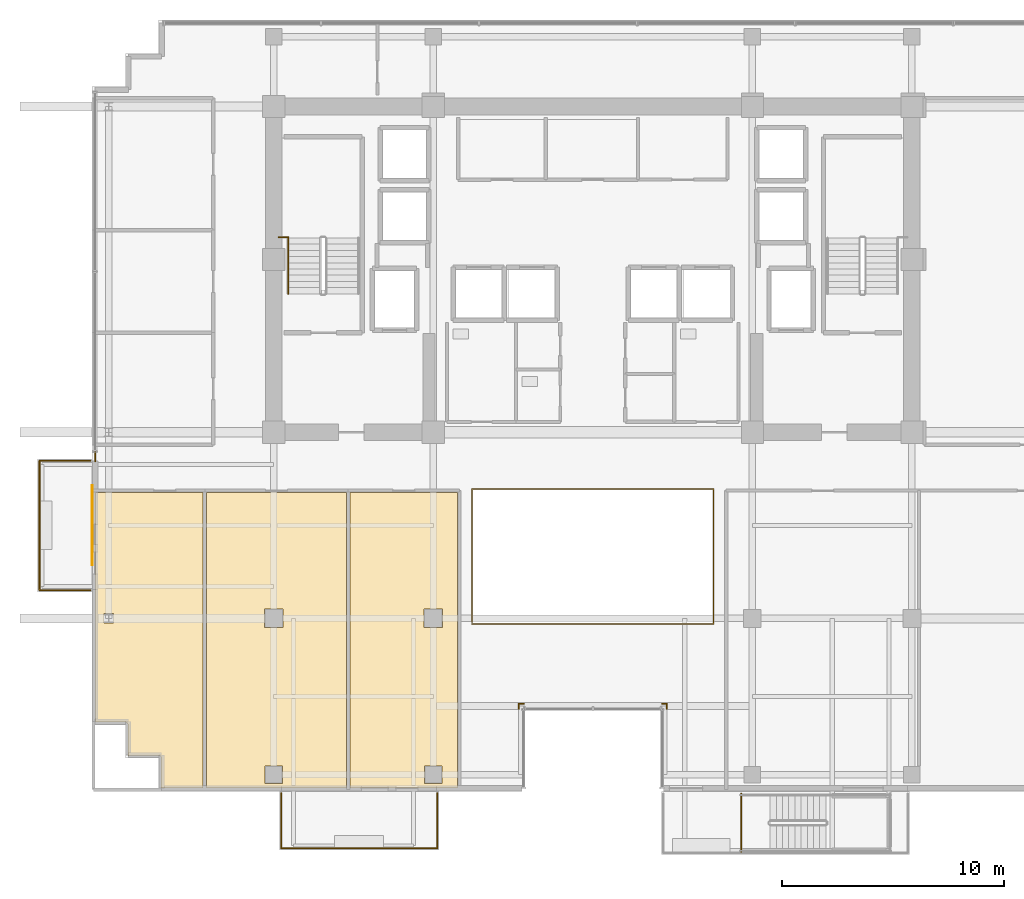
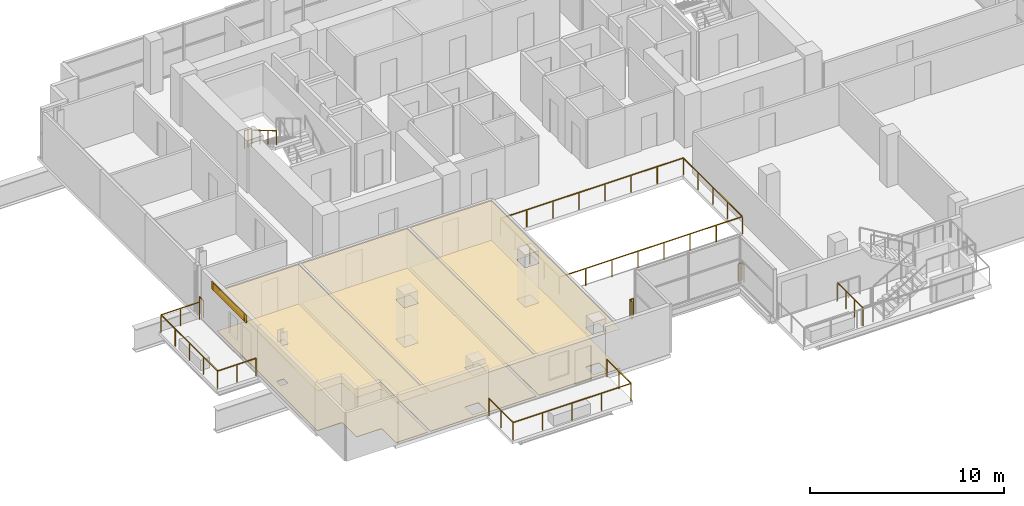
# One storey, part 20 of 23: 11 railings, 7 coverings, 1 shading device.
"""IFC4 building model written with IfcOpenShell, lengths in metres."""

import ifcopenshell
import ifcopenshell.guid

model = None  # the IFC model being written
_history = None  # IfcOwnerHistory: only IFC2X3 demands one
_inside = {}  # id of a spatial element -> (the spatial element, [elements in it])
_under = {}  # id of a project, library or spatial element -> (it, [spatial elements below it])
_declared = {}  # id of a project -> (the project, [libraries it declares])
_typed = {}  # id of a type object -> (the type object, [elements of that type])
_made_of = {}  # id of a material, layer set ... -> (it, [elements and type objects made of it])


def new_model(schema):
    """Start an empty IFC model of exactly this schema.

    Asked for "IFC4X3", IfcOpenShell would pick the latest addendum, in which some entities
    have other attributes; the version numbers below select the first issue.
    IFC2X3 requires an IfcOwnerHistory on every rooted entity: one is made here for all.
    """
    global model, _history
    if schema == "IFC4X3":
        model = ifcopenshell.file(schema_version=(4, 3, 0, 0))
    else:
        model = ifcopenshell.file(schema=schema)
    _inside.clear()
    _under.clear()
    _declared.clear()
    _typed.clear()
    _made_of.clear()
    _history = None
    if model.schema == "IFC2X3":
        org = make("IfcOrganization", Name="unknown")
        user = make(
            "IfcPersonAndOrganization",
            ThePerson=make("IfcPerson", FamilyName="unknown"),
            TheOrganization=org,
        )
        app = make(
            "IfcApplication",
            ApplicationDeveloper=org,
            Version="unknown",
            ApplicationFullName="unknown",
            ApplicationIdentifier="unknown",
        )
        _history = make(
            "IfcOwnerHistory",
            OwningUser=user,
            OwningApplication=app,
            ChangeAction="ADDED",
            CreationDate=0,
        )
    return model


def make(cls, **values):
    """One entity of the class cls with the attributes given. An attribute that is None is left unset."""
    return model.create_entity(
        cls, **{name: value for name, value in values.items() if value is not None}
    )


def rooted(cls, **values):
    """An entity with a GlobalId (a new one), such as an element, a storey or a relation."""
    return make(cls, GlobalId=ifcopenshell.guid.new(), OwnerHistory=_history, **values)


def si_unit(unit_type, name, prefix=None):
    """IfcSIUnit, for example si_unit("LENGTHUNIT", "METRE", prefix="MILLI")."""
    return make("IfcSIUnit", UnitType=unit_type, Prefix=prefix, Name=name)


def assignment(units):
    """IfcUnitAssignment: the units of a project."""
    return None if units is None else make("IfcUnitAssignment", Units=units)


def point(xyz):
    """IfcCartesianPoint."""
    return None if xyz is None else make("IfcCartesianPoint", Coordinates=xyz)


def direction(xyz):
    """IfcDirection."""
    return None if xyz is None else make("IfcDirection", DirectionRatios=xyz)


def frame(location, z_axis=None, x_axis=None):
    """IfcAxis2Placement3D, a coordinate frame: its origin and axes. An axis left out is left unset."""
    return make(
        "IfcAxis2Placement3D",
        Location=point(location),
        Axis=direction(z_axis),
        RefDirection=direction(x_axis),
    )


def frame_2d(location, x_axis=None):
    """IfcAxis2Placement2D, a coordinate frame in the plane: its origin and x axis."""
    return make(
        "IfcAxis2Placement2D", Location=point(location), RefDirection=direction(x_axis)
    )


def origin():
    """The frame at (0, 0, 0) with its axes left unset."""
    return frame((0.0, 0.0, 0.0))


def origin_2d():
    """The frame at (0, 0) in the plane with its x axis left unset."""
    return frame_2d((0.0, 0.0))


def place(relative_to, where):
    """IfcLocalPlacement: puts the frame where relative to a parent placement (None: the world)."""
    return make(
        "IfcLocalPlacement", PlacementRelTo=relative_to, RelativePlacement=where
    )


def context(
    kind, dimensions, precision=None, world=None, true_north=None, identifier=None
):
    """IfcGeometricRepresentationContext, for example the 3D "Model" context."""
    return make(
        "IfcGeometricRepresentationContext",
        ContextIdentifier=identifier,
        ContextType=kind,
        CoordinateSpaceDimension=dimensions,
        Precision=precision,
        WorldCoordinateSystem=world,
        TrueNorth=true_north,
    )


def subcontext(parent, identifier, kind, view, scale=None):
    """IfcGeometricRepresentationSubContext, for example "Body" below "Model"."""
    return make(
        "IfcGeometricRepresentationSubContext",
        ContextIdentifier=identifier,
        ContextType=kind,
        ParentContext=parent,
        TargetScale=scale,
        TargetView=view,
    )


def project(units=None, contexts=None):
    """IfcProject with its units and contexts."""
    return rooted(
        "IfcProject",
        Name="project",
        RepresentationContexts=contexts,
        UnitsInContext=assignment(units),
    )


def spatial(cls, under=None, at=None, **own):
    """A site, building, storey or space (cls), placed at a placement, below another one or the project."""
    s = rooted(cls, ObjectPlacement=at, **own)
    if under is not None:
        _under.setdefault(under.id(), (under, []))[1].append(s)
    return s


def polyline(points):
    """IfcPolyline through the points."""
    return make("IfcPolyline", Points=[point(p) for p in points])


def profile(cls, at=None, kind="AREA", **sizes):
    """A parametric profile (cls). Its sizes go by their IFC names, for example OverallWidth=200.0."""
    return make(cls, ProfileType=kind, Position=at, **sizes)


def rectangle(**sizes):
    """IfcRectangleProfileDef."""
    return profile("IfcRectangleProfileDef", **sizes)


def outline(outer, holes=None, kind="AREA"):
    """IfcArbitraryClosedProfileDef: a profile drawn as a closed curve; with holes, ...WithVoids."""
    if holes is None:
        return make("IfcArbitraryClosedProfileDef", ProfileType=kind, OuterCurve=outer)
    return make(
        "IfcArbitraryProfileDefWithVoids",
        ProfileType=kind,
        OuterCurve=outer,
        InnerCurves=holes,
    )


def extrude(swept, where, along, depth):
    """IfcExtrudedAreaSolid: the profile swept, set in the frame where, extruded along a direction by depth."""
    return make(
        "IfcExtrudedAreaSolid",
        SweptArea=swept,
        Position=where,
        ExtrudedDirection=direction(along),
        Depth=depth,
    )


def shape(context_of_items, identifier, shape_type, items):
    """IfcShapeRepresentation: the items that make up one representation, for example the "Body"."""
    return make(
        "IfcShapeRepresentation",
        ContextOfItems=context_of_items,
        RepresentationIdentifier=identifier,
        RepresentationType=shape_type,
        Items=items,
    )


def source(mapping_origin, context_of_items, identifier, shape_type, items):
    """IfcRepresentationMap: a shape defined once, which mapped items show again and again."""
    return make(
        "IfcRepresentationMap",
        MappingOrigin=mapping_origin,
        MappedRepresentation=shape(context_of_items, identifier, shape_type, items),
    )


def transform(
    local_origin,
    x_axis=None,
    y_axis=None,
    z_axis=None,
    scale=None,
    scale2=None,
    scale3=None,
    uniform=True,
):
    """IfcCartesianTransformationOperator3D, or its non-uniform kind. x_axis, y_axis, z_axis: its Axis1, 2, 3."""
    if uniform:
        return make(
            "IfcCartesianTransformationOperator3D",
            Axis1=direction(x_axis),
            Axis2=direction(y_axis),
            LocalOrigin=point(local_origin),
            Scale=scale,
            Axis3=direction(z_axis),
        )
    return make(
        "IfcCartesianTransformationOperator3DnonUniform",
        Axis1=direction(x_axis),
        Axis2=direction(y_axis),
        LocalOrigin=point(local_origin),
        Scale=scale,
        Axis3=direction(z_axis),
        Scale2=scale2,
        Scale3=scale3,
    )


def mapped(mapping_source, mapping_target):
    """IfcMappedItem: shows the shape of a source again, moved by a transform."""
    return make(
        "IfcMappedItem", MappingSource=mapping_source, MappingTarget=mapping_target
    )


def material(Name=None, Category=None):
    """IfcMaterial."""
    return make("IfcMaterial", Name=Name, Category=Category)


def layer(
    of_material, thickness, ventilated=None, Name=None, Category=None, Priority=None
):
    """IfcMaterialLayer: one layer of a wall or slab, of a material (None: an air gap)."""
    return make(
        "IfcMaterialLayer",
        Material=of_material,
        LayerThickness=thickness,
        IsVentilated=ventilated,
        Name=Name,
        Category=Category,
        Priority=Priority,
    )


def layer_set(layers, Name=None):
    """IfcMaterialLayerSet."""
    return make("IfcMaterialLayerSet", MaterialLayers=layers, LayerSetName=Name)


def made_of(thing, what):
    """Note that an element or type object is made of a material, layer set ...; save() writes the relation."""
    if what is not None:
        _made_of.setdefault(what.id(), (what, []))[1].append(thing)
    return thing


def type_object(cls, material=None, **own):
    """A type object (cls), such as IfcWallType, which elements share."""
    return made_of(rooted(cls, **own), material)


def element(
    cls,
    number,
    at=None,
    inside=None,
    cuts=None,
    type_object=None,
    material=None,
    context=None,
    identifier="Body",
    shape_type=None,
    held_by="IfcProductDefinitionShape",
    body=None,
    shapes=None,
    **own,
):
    """One element of the class cls, such as IfcWall. Its Tag is "e" and its number.

    at: its placement. inside: the storey or other place that contains it. cuts: it is an
    opening in that element (IfcRelVoidsElement). A single representation is given by context,
    identifier, shape_type and body (its items); several are given by shapes. held_by: the class
    of the entity that holds the representations. save() writes the other relations.
    """
    e = rooted(cls, Tag="e%d" % number, ObjectPlacement=at, **own)
    if body is not None:
        shapes = [shape(context, identifier, shape_type, body)]
    if shapes is not None:
        e.Representation = make(held_by, Representations=shapes)
    if inside is not None:
        _inside.setdefault(inside.id(), (inside, []))[1].append(e)
    if cuts is not None:
        rooted(
            "IfcRelVoidsElement", RelatingBuildingElement=cuts, RelatedOpeningElement=e
        )
    if type_object is not None:
        _typed.setdefault(type_object.id(), (type_object, []))[1].append(e)
    return made_of(e, material)


def aggregate(whole, parts):
    """IfcRelAggregates: a whole, such as a stair, and the parts it consists of."""
    return rooted("IfcRelAggregates", RelatingObject=whole, RelatedObjects=parts)


def save(model, path):
    """Write the relations noted so far, then the file.

    IfcRelAggregates (storeys below a building ...), IfcRelContainedInSpatialStructure (elements
    in a storey), IfcRelDefinesByType, IfcRelAssociatesMaterial and IfcRelDeclares: one each for
    every whole, place, type object, material and project.
    """
    for whole, parts in _under.values():
        aggregate(whole, parts)
    for where, things in _inside.values():
        rooted(
            "IfcRelContainedInSpatialStructure",
            RelatedElements=things,
            RelatingStructure=where,
        )
    for kind, things in _typed.values():
        rooted("IfcRelDefinesByType", RelatedObjects=things, RelatingType=kind)
    for what, things in _made_of.values():
        rooted("IfcRelAssociatesMaterial", RelatedObjects=things, RelatingMaterial=what)
    for by, libraries in _declared.values():
        rooted("IfcRelDeclares", RelatingContext=by, RelatedDefinitions=libraries)
    model.write(path)


model = new_model("IFC4")

# Units and contexts
model_context = context("Model", 3, precision=1e-05, world=origin(), true_north=direction((0.0, 1.0)))
body_context = subcontext(model_context, "Body", "Model", "MODEL_VIEW")
ifc_project = project(units=[si_unit("LENGTHUNIT", "METRE"), si_unit("AREAUNIT", "SQUARE_METRE"), si_unit("VOLUMEUNIT", "CUBIC_METRE"), si_unit("PLANEANGLEUNIT", "RADIAN"), si_unit("MASSUNIT", "GRAM", prefix="KILO")], contexts=[model_context])

# Site, building, storey
site_placement = place(None, origin())
site = spatial("IfcSite", under=ifc_project, at=site_placement, CompositionType="ELEMENT")
building_placement = place(site_placement, origin())
building = spatial("IfcBuilding", under=site, at=building_placement, Name="Zarnakvel Exchange Tower", CompositionType="ELEMENT")
storey_placement = place(building_placement, frame((0.0, 0.0, 172.60009765625)))
storey = spatial("IfcBuildingStorey", under=building, at=storey_placement, Name="L48", CompositionType="ELEMENT", Elevation=172.60009765625)

# Coverings
ifc_material_1 = material(Name="Perforated Bronze Acoustic Metal Ceiling", Category="aluminium")
ifc_layer_1 = layer(ifc_material_1, 0.02001953125)
ifc_layer_set_1 = layer_set([ifc_layer_1], Name="Perforated Bronze Acoustic Metal Ceiling")
covering_type_1 = type_object("IfcCoveringType", Name="CLG-01", PredefinedType="CEILING", material=ifc_layer_set_1)
covering_1_placement = place(storey_placement, frame((0.0, 0.0, 2.5048828125)))
element("IfcCovering", 1, at=covering_1_placement, inside=storey, type_object=covering_type_1, Name="L48 Suspended Acoustic Ceiling (Commodities Dealing Room)", PredefinedType="CEILING", context=body_context, shape_type="SweptSolid", body=[
    extrude(outline(polyline([(-17.59228515625, -3.909912109375), (-17.59228515625, -17.25), (-19.47998046875, -17.25), (-19.47998046875, -15.89990234375), (-19.48046875, -15.88818359375), (-19.482421875, -15.876708984375), (-19.485107421875, -15.865234375), (-19.489013671875, -15.85400390625), (-19.494140625, -15.843505859375), (-19.500244140625, -15.833251953125), (-19.50732421875, -15.823974609375), (-19.51513671875, -15.815185546875), (-19.52392578125, -15.80712890625), (-19.533447265625, -15.80029296875), (-19.54345703125, -15.794189453125), (-19.55419921875, -15.7890625), (-19.565185546875, -15.78515625), (-19.57666015625, -15.7822265625), (-19.588134765625, -15.780517578125), (-19.60009765625, -15.780029296875), (-20.97998046875, -15.780029296875), (-20.97998046875, -14.39990234375), (-20.98046875, -14.38818359375), (-20.982421875, -14.376708984375), (-20.985107421875, -14.365234375), (-20.989013671875, -14.35400390625), (-20.994140625, -14.343505859375), (-21.000244140625, -14.333251953125), (-21.00732421875, -14.323974609375), (-21.01513671875, -14.315185546875), (-21.02392578125, -14.30712890625), (-21.033447265625, -14.30029296875), (-21.04345703125, -14.294189453125), (-21.05419921875, -14.2890625), (-21.065185546875, -14.28515625), (-21.07666015625, -14.2822265625), (-21.088134765625, -14.280517578125), (-21.10009765625, -14.280029296875), (-22.449951171875, -14.280029296875), (-22.449951171875, -3.909912109375), (-17.59228515625, -3.909912109375)]), holes=[polyline([(-21.630615234375, -9.81689453125), (-21.630615234375, -9.38330078125), (-22.069580078125, -9.38330078125), (-22.069580078125, -9.81689453125), (-21.630615234375, -9.81689453125)])]), origin(), (0.0, 0.0, 1.0), 0.02001953125),
])
covering_2_placement = place(storey_placement, frame((0.0, 0.0, 2.5048828125)))
element("IfcCovering", 2, at=covering_2_placement, inside=storey, type_object=covering_type_1, Name="L48 Suspended Acoustic Ceiling (Brokerage Office)", PredefinedType="CEILING", context=body_context, shape_type="SweptSolid", body=[
    extrude(outline(polyline([(-17.432373046875, -3.909912109375), (-11.11767578125, -3.909912109375), (-11.11767578125, -17.25), (-17.432373046875, -17.25), (-17.432373046875, -3.909912109375)]), holes=[polyline([(-13.97998046875, -10.02001953125), (-13.97998046875, -9.179931640625), (-14.820068359375, -9.179931640625), (-14.820068359375, -10.02001953125), (-13.97998046875, -10.02001953125)]), polyline([(-14.0048828125, -16.2548828125), (-14.794921875, -16.2548828125), (-14.794921875, -17.044921875), (-14.0048828125, -17.044921875), (-14.0048828125, -16.2548828125)])]), origin(), (0.0, 0.0, 1.0), 0.02001953125),
])
covering_3_placement = place(storey_placement, frame((0.0, 0.0, 2.5048828125)))
element("IfcCovering", 3, at=covering_3_placement, inside=storey, type_object=covering_type_1, Name="L48 Suspended Acoustic Ceiling (Seminar Room)", PredefinedType="CEILING", context=body_context, shape_type="SweptSolid", body=[
    extrude(outline(polyline([(-10.95751953125, -3.909912109375), (-6.10009765625, -3.909912109375), (-6.10009765625, -17.25), (-10.95751953125, -17.25), (-10.95751953125, -3.909912109375)]), holes=[polyline([(-6.780029296875, -10.02001953125), (-6.780029296875, -9.179931640625), (-7.6201171875, -9.179931640625), (-7.6201171875, -10.02001953125), (-6.780029296875, -10.02001953125)]), polyline([(-6.804931640625, -17.044921875), (-6.804931640625, -16.2548828125), (-7.594970703125, -16.2548828125), (-7.594970703125, -17.044921875), (-6.804931640625, -17.044921875)])]), origin(), (0.0, 0.0, 1.0), 0.02001953125),
])
ifc_material_2 = material(Name="Heavy-Duty Raised Access Floor Panel", Category="steel")
ifc_layer_2 = layer(ifc_material_2, 0.034912109375)
ifc_layer_set_2 = layer_set([ifc_layer_2], Name="Heavy-Duty Raised Access Floor Panel")
covering_type_2 = type_object("IfcCoveringType", Name="FLR-02", PredefinedType="FLOORING", material=ifc_layer_set_2)
covering_4_placement = place(storey_placement, origin())
element("IfcCovering", 4, at=covering_4_placement, inside=storey, type_object=covering_type_2, Name="L48 Floor Finish (Commodities Dealing Room)", PredefinedType="FLOORING", context=body_context, shape_type="SweptSolid", body=[
    extrude(outline(polyline([(-17.59228515625, -3.909912109375), (-17.59228515625, -17.25), (-19.47998046875, -17.25), (-19.47998046875, -15.89990234375), (-19.48046875, -15.88818359375), (-19.482421875, -15.876708984375), (-19.485107421875, -15.865234375), (-19.489013671875, -15.85400390625), (-19.494140625, -15.843505859375), (-19.500244140625, -15.833251953125), (-19.50732421875, -15.823974609375), (-19.51513671875, -15.815185546875), (-19.52392578125, -15.80712890625), (-19.533447265625, -15.80029296875), (-19.54345703125, -15.794189453125), (-19.55419921875, -15.7890625), (-19.565185546875, -15.78515625), (-19.57666015625, -15.7822265625), (-19.588134765625, -15.780517578125), (-19.60009765625, -15.780029296875), (-20.97998046875, -15.780029296875), (-20.97998046875, -14.39990234375), (-20.98046875, -14.38818359375), (-20.982421875, -14.376708984375), (-20.985107421875, -14.365234375), (-20.989013671875, -14.35400390625), (-20.994140625, -14.343505859375), (-21.000244140625, -14.333251953125), (-21.00732421875, -14.323974609375), (-21.01513671875, -14.315185546875), (-21.02392578125, -14.30712890625), (-21.033447265625, -14.30029296875), (-21.04345703125, -14.294189453125), (-21.05419921875, -14.2890625), (-21.065185546875, -14.28515625), (-21.07666015625, -14.2822265625), (-21.088134765625, -14.280517578125), (-21.10009765625, -14.280029296875), (-22.449951171875, -14.280029296875), (-22.449951171875, -3.909912109375), (-17.59228515625, -3.909912109375)]), holes=[polyline([(-21.630615234375, -9.81689453125), (-21.630615234375, -9.38330078125), (-22.069580078125, -9.38330078125), (-22.069580078125, -9.81689453125), (-21.630615234375, -9.81689453125)])]), origin(), (0.0, 0.0, 1.0), 0.034912109375),
])
covering_5_placement = place(storey_placement, origin())
element("IfcCovering", 5, at=covering_5_placement, inside=storey, type_object=covering_type_2, Name="L48 Floor Finish (Brokerage Office)", PredefinedType="FLOORING", context=body_context, shape_type="SweptSolid", body=[
    extrude(outline(polyline([(-17.432373046875, -3.909912109375), (-11.11767578125, -3.909912109375), (-11.11767578125, -17.25), (-17.432373046875, -17.25), (-17.432373046875, -3.909912109375)]), holes=[polyline([(-13.97998046875, -10.02001953125), (-13.97998046875, -9.179931640625), (-14.820068359375, -9.179931640625), (-14.820068359375, -10.02001953125), (-13.97998046875, -10.02001953125)]), polyline([(-14.0048828125, -16.2548828125), (-14.794921875, -16.2548828125), (-14.794921875, -17.044921875), (-14.0048828125, -17.044921875), (-14.0048828125, -16.2548828125)])]), origin(), (0.0, 0.0, 1.0), 0.034912109375),
])
covering_6_placement = place(storey_placement, origin())
element("IfcCovering", 6, at=covering_6_placement, inside=storey, type_object=covering_type_2, Name="L48 Floor Finish (Seminar Room)", PredefinedType="FLOORING", context=body_context, shape_type="SweptSolid", body=[
    extrude(outline(polyline([(-10.95751953125, -3.909912109375), (-6.10009765625, -3.909912109375), (-6.10009765625, -17.25), (-10.95751953125, -17.25), (-10.95751953125, -3.909912109375)]), holes=[polyline([(-6.780029296875, -10.02001953125), (-6.780029296875, -9.179931640625), (-7.6201171875, -9.179931640625), (-7.6201171875, -10.02001953125), (-6.780029296875, -10.02001953125)]), polyline([(-6.804931640625, -17.044921875), (-6.804931640625, -16.2548828125), (-7.594970703125, -16.2548828125), (-7.594970703125, -17.044921875), (-6.804931640625, -17.044921875)])]), origin(), (0.0, 0.0, 1.0), 0.034912109375),
])

# Railings
ifc_material_3 = material(Name="Architectural Bronze Anodised Aluminium", Category="aluminium")
railing_type_1 = type_object("IfcRailingType", Name="GR-02", PredefinedType="GUARDRAIL", material=ifc_material_3)
railing_1_placement = place(storey_placement, frame((-14.070068359375, -17.47998046875, -0.03515625)))
element("IfcRailing", 7, at=railing_1_placement, inside=storey, type_object=railing_type_1, Name="L48 Balcony Guardrail BAL-L48-SW", PredefinedType="GUARDRAIL", context=body_context, shape_type="SweptSolid", body=[
    extrude(rectangle(XDim=0.048095703125, YDim=0.048095703125, at=origin_2d()), frame((0.0, 0.0, 1.09619140625), z_axis=(0.0, -1.0, 0.0), x_axis=(1.0, 0.0, 0.0)), (0.0, 0.0, 1.0), 2.489990234375),
    extrude(rectangle(XDim=0.048095703125, YDim=0.048095703125, at=origin_2d()), frame((0.0, -2.489990234375, 1.09619140625), z_axis=(1.0, 0.0, 0.0), x_axis=(0.0, 1.0, 0.0)), (0.0, 0.0, 1.0), 7.0400390625),
    extrude(rectangle(XDim=0.048095703125, YDim=0.048095703125, at=origin_2d()), frame((7.0400390625, -2.489990234375, 1.09619140625), z_axis=(0.0, 1.0, 0.0), x_axis=(-1.0, 0.0, 0.0)), (0.0, 0.0, 1.0), 2.489990234375),
    extrude(rectangle(XDim=0.0419921875, YDim=0.0419921875, at=origin_2d()), origin(), (0.0, 0.0, 1.0), 1.072021484375),
    extrude(rectangle(XDim=0.0419921875, YDim=0.0419921875, at=origin_2d()), frame((0.0, -1.2451171875, 0.0)), (0.0, 0.0, 1.0), 1.072021484375),
    extrude(rectangle(XDim=0.0419921875, YDim=0.0419921875, at=origin_2d()), frame((0.0, -2.489990234375, 0.0)), (0.0, 0.0, 1.0), 1.072021484375),
    extrude(rectangle(XDim=0.0419921875, YDim=0.0419921875, at=origin_2d()), frame((1.760009765625, -2.489990234375, 0.0)), (0.0, 0.0, 1.0), 1.072021484375),
    extrude(rectangle(XDim=0.0419921875, YDim=0.0419921875, at=origin_2d()), frame((3.52001953125, -2.489990234375, 0.0)), (0.0, 0.0, 1.0), 1.072021484375),
    extrude(rectangle(XDim=0.0419921875, YDim=0.0419921875, at=origin_2d()), frame((5.280029296875, -2.489990234375, 0.0)), (0.0, 0.0, 1.0), 1.072021484375),
    extrude(rectangle(XDim=0.0419921875, YDim=0.0419921875, at=origin_2d()), frame((7.0400390625, -2.489990234375, 0.0)), (0.0, 0.0, 1.0), 1.072021484375),
    extrude(rectangle(XDim=0.0419921875, YDim=0.0419921875, at=origin_2d()), frame((7.0400390625, -1.2451171875, 0.0)), (0.0, 0.0, 1.0), 1.072021484375),
    extrude(rectangle(XDim=0.0419921875, YDim=0.0419921875, at=origin_2d()), frame((7.0400390625, 0.0, 0.0)), (0.0, 0.0, 1.0), 1.072021484375),
])
railing_2_placement = place(storey_placement, frame((-22.679931640625, -8.320068359375, -0.03515625)))
element("IfcRailing", 8, at=railing_2_placement, inside=storey, type_object=railing_type_1, Name="L48 Balcony Guardrail BAL-L48-W", PredefinedType="GUARDRAIL", context=body_context, shape_type="SweptSolid", body=[
    extrude(rectangle(XDim=0.048095703125, YDim=0.048095703125, at=origin_2d()), frame((0.0, 0.0, 1.09619140625), z_axis=(-1.0, 0.0, 0.0), x_axis=(0.0, -1.0, 0.0)), (0.0, 0.0, 1.0), 2.2900390625),
    extrude(rectangle(XDim=0.048095703125, YDim=0.048095703125, at=origin_2d()), frame((-2.2900390625, 0.0, 1.09619140625), z_axis=(0.0, 1.0, 0.0), x_axis=(-1.0, 0.0, 0.0)), (0.0, 0.0, 1.0), 5.840087890625),
    extrude(rectangle(XDim=0.048095703125, YDim=0.048095703125, at=origin_2d()), frame((-2.2900390625, 5.840087890625, 1.09619140625), z_axis=(1.0, 0.0, 0.0), x_axis=(0.0, 1.0, 0.0)), (0.0, 0.0, 1.0), 2.2900390625),
    extrude(rectangle(XDim=0.0419921875, YDim=0.0419921875, at=origin_2d()), origin(), (0.0, 0.0, 1.0), 1.072021484375),
    extrude(rectangle(XDim=0.0419921875, YDim=0.0419921875, at=origin_2d()), frame((-1.14501953125, 0.0, 0.0)), (0.0, 0.0, 1.0), 1.072021484375),
    extrude(rectangle(XDim=0.0419921875, YDim=0.0419921875, at=origin_2d()), frame((-2.2900390625, 0.0, 0.0)), (0.0, 0.0, 1.0), 1.072021484375),
    extrude(rectangle(XDim=0.0419921875, YDim=0.0419921875, at=origin_2d()), frame((-2.2900390625, 1.4599609375, 0.0)), (0.0, 0.0, 1.0), 1.072021484375),
    extrude(rectangle(XDim=0.0419921875, YDim=0.0419921875, at=origin_2d()), frame((-2.2900390625, 2.919921875, 0.0)), (0.0, 0.0, 1.0), 1.072021484375),
    extrude(rectangle(XDim=0.0419921875, YDim=0.0419921875, at=origin_2d()), frame((-2.2900390625, 4.380126953125, 0.0)), (0.0, 0.0, 1.0), 1.072021484375),
    extrude(rectangle(XDim=0.0419921875, YDim=0.0419921875, at=origin_2d()), frame((-2.2900390625, 5.840087890625, 0.0)), (0.0, 0.0, 1.0), 1.072021484375),
    extrude(rectangle(XDim=0.0419921875, YDim=0.0419921875, at=origin_2d()), frame((-1.14501953125, 5.840087890625, 0.0)), (0.0, 0.0, 1.0), 1.072021484375),
    extrude(rectangle(XDim=0.0419921875, YDim=0.0419921875, at=origin_2d()), frame((0.0, 5.840087890625, 0.0)), (0.0, 0.0, 1.0), 1.072021484375),
])
railing_3_placement = place(storey_placement, frame((-22.4599609375, -2.5, 0.0)))
element("IfcRailing", 9, at=railing_3_placement, inside=storey, type_object=railing_type_1, Name="L48 Corner Spandrel Balustrade #2", PredefinedType="GUARDRAIL", context=body_context, shape_type="SweptSolid", body=[
    extrude(rectangle(XDim=0.048095703125, YDim=0.048095703125, at=origin_2d()), frame((0.0, 0.0, 1.09619140625), z_axis=(0.0, 1.0, 0.0), x_axis=(-1.0, 0.0, 0.0)), (0.0, 0.0, 1.0), 0.39990234375),
    extrude(rectangle(XDim=0.0419921875, YDim=0.0419921875, at=origin_2d()), origin(), (0.0, 0.0, 1.0), 1.072021484375),
    extrude(rectangle(XDim=0.0419921875, YDim=0.0419921875, at=origin_2d()), frame((0.0, 0.39990234375, 0.0)), (0.0, 0.0, 1.0), 1.072021484375),
])
railing_4_placement = place(storey_placement, frame((3.340087890625, -13.679931640625, 0.0)))
element("IfcRailing", 10, at=railing_4_placement, inside=storey, type_object=railing_type_1, Name="L48 Corner Spandrel Balustrade #16", PredefinedType="GUARDRAIL", context=body_context, shape_type="SweptSolid", body=[
    extrude(rectangle(XDim=0.048095703125, YDim=0.048095703125, at=origin_2d()), frame((0.0, 0.0, 1.09619140625), z_axis=(0.0, 1.0, 0.0), x_axis=(-1.0, 0.0, 0.0)), (0.0, 0.0, 1.0), 0.219970703125),
    extrude(rectangle(XDim=0.0419921875, YDim=0.0419921875, at=origin_2d()), origin(), (0.0, 0.0, 1.0), 1.072021484375),
    extrude(rectangle(XDim=0.0419921875, YDim=0.0419921875, at=origin_2d()), frame((0.0, 0.219970703125, 0.0)), (0.0, 0.0, 1.0), 1.072021484375),
])
for number, where, name in (
    (11, (3.340087890625, -13.4599609375, 0.0), "L48 Corner Spandrel Balustrade #17"),
    (12, (-3.1201171875, -13.4599609375, 0.0), "L48 Corner Spandrel Balustrade #18"),
):
    element("IfcRailing", number, at=place(storey_placement, frame(where)), inside=storey, type_object=railing_type_1, Name=name, PredefinedType="GUARDRAIL", context=body_context, shape_type="SweptSolid", body=[
        extrude(rectangle(XDim=0.048095703125, YDim=0.048095703125, at=origin_2d()), frame((0.0, 0.0, 1.09619140625), z_axis=(-1.0, 0.0, 0.0), x_axis=(0.0, -1.0, 0.0)), (0.0, 0.0, 1.0), 0.219970703125),
        extrude(rectangle(XDim=0.0419921875, YDim=0.0419921875, at=origin_2d()), origin(), (0.0, 0.0, 1.0), 1.072021484375),
        extrude(rectangle(XDim=0.0419921875, YDim=0.0419921875, at=origin_2d()), frame((-0.219970703125, 0.0, 0.0)), (0.0, 0.0, 1.0), 1.072021484375),
    ])
railing_5_placement = place(storey_placement, frame((-3.340087890625, -13.4599609375, 0.0)))
element("IfcRailing", 13, at=railing_5_placement, inside=storey, type_object=railing_type_1, Name="L48 Corner Spandrel Balustrade #19", PredefinedType="GUARDRAIL", context=body_context, shape_type="SweptSolid", body=[
    extrude(rectangle(XDim=0.048095703125, YDim=0.048095703125, at=origin_2d()), frame((0.0, 0.0, 1.09619140625), z_axis=(0.0, -1.0, 0.0), x_axis=(1.0, 0.0, 0.0)), (0.0, 0.0, 1.0), 0.219970703125),
    extrude(rectangle(XDim=0.0419921875, YDim=0.0419921875, at=origin_2d()), origin(), (0.0, 0.0, 1.0), 1.072021484375),
    extrude(rectangle(XDim=0.0419921875, YDim=0.0419921875, at=origin_2d()), frame((0.0, -0.219970703125, 0.0)), (0.0, 0.0, 1.0), 1.072021484375),
])
railing_type_2 = type_object("IfcRailingType", Name="GR-03", PredefinedType="GUARDRAIL", material=ifc_material_3)
railing_6_placement = place(storey_placement, frame((-5.449951171875, -9.85009765625, 0.0)))
element("IfcRailing", 14, at=railing_6_placement, inside=storey, type_object=railing_type_2, Name="L48 Atrium Void Perimeter Balustrade", PredefinedType="GUARDRAIL", context=body_context, shape_type="SweptSolid", body=[
    extrude(rectangle(XDim=0.048095703125, YDim=0.048095703125, at=origin_2d()), frame((0.0, 0.0, 1.076171875), z_axis=(1.0, 0.0, 0.0), x_axis=(0.0, 1.0, 0.0)), (0.0, 0.0, 1.0), 10.89990234375),
    extrude(rectangle(XDim=0.048095703125, YDim=0.048095703125, at=origin_2d()), frame((10.89990234375, 0.0, 1.076171875), z_axis=(0.0, 1.0, 0.0), x_axis=(-1.0, 0.0, 0.0)), (0.0, 0.0, 1.0), 6.10009765625),
    extrude(rectangle(XDim=0.048095703125, YDim=0.048095703125, at=origin_2d()), frame((10.89990234375, 6.10009765625, 1.076171875), z_axis=(-1.0, 0.0, 0.0), x_axis=(0.0, -1.0, 0.0)), (0.0, 0.0, 1.0), 10.89990234375),
    extrude(rectangle(XDim=0.048095703125, YDim=0.048095703125, at=origin_2d()), frame((0.0, 6.10009765625, 1.076171875), z_axis=(0.0, -1.0, 0.0), x_axis=(1.0, 0.0, 0.0)), (0.0, 0.0, 1.0), 6.02001953125),
    extrude(rectangle(XDim=0.0419921875, YDim=0.0419921875, at=origin_2d()), origin(), (0.0, 0.0, 1.0), 1.052001953125),
    extrude(rectangle(XDim=0.0419921875, YDim=0.0419921875, at=origin_2d()), frame((1.55712890625, 0.0, 0.0)), (0.0, 0.0, 1.0), 1.052001953125),
    extrude(rectangle(XDim=0.0419921875, YDim=0.0419921875, at=origin_2d()), frame((3.1142578125, 0.0, 0.0)), (0.0, 0.0, 1.0), 1.052001953125),
    extrude(rectangle(XDim=0.0419921875, YDim=0.0419921875, at=origin_2d()), frame((4.67138671875, 0.0, 0.0)), (0.0, 0.0, 1.0), 1.052001953125),
    extrude(rectangle(XDim=0.0419921875, YDim=0.0419921875, at=origin_2d()), frame((6.228515625, 0.0, 0.0)), (0.0, 0.0, 1.0), 1.052001953125),
    extrude(rectangle(XDim=0.0419921875, YDim=0.0419921875, at=origin_2d()), frame((7.78564453125, 0.0, 0.0)), (0.0, 0.0, 1.0), 1.052001953125),
    extrude(rectangle(XDim=0.0419921875, YDim=0.0419921875, at=origin_2d()), frame((9.3427734375, 0.0, 0.0)), (0.0, 0.0, 1.0), 1.052001953125),
    extrude(rectangle(XDim=0.0419921875, YDim=0.0419921875, at=origin_2d()), frame((10.89990234375, 0.0, 0.0)), (0.0, 0.0, 1.0), 1.052001953125),
    extrude(rectangle(XDim=0.0419921875, YDim=0.0419921875, at=origin_2d()), frame((10.89990234375, 1.52490234375, 0.0)), (0.0, 0.0, 1.0), 1.052001953125),
    extrude(rectangle(XDim=0.0419921875, YDim=0.0419921875, at=origin_2d()), frame((10.89990234375, 3.050048828125, 0.0)), (0.0, 0.0, 1.0), 1.052001953125),
    extrude(rectangle(XDim=0.0419921875, YDim=0.0419921875, at=origin_2d()), frame((10.89990234375, 4.5751953125, 0.0)), (0.0, 0.0, 1.0), 1.052001953125),
    extrude(rectangle(XDim=0.0419921875, YDim=0.0419921875, at=origin_2d()), frame((10.89990234375, 6.10009765625, 0.0)), (0.0, 0.0, 1.0), 1.052001953125),
    extrude(rectangle(XDim=0.0419921875, YDim=0.0419921875, at=origin_2d()), frame((9.3427734375, 6.10009765625, 0.0)), (0.0, 0.0, 1.0), 1.052001953125),
    extrude(rectangle(XDim=0.0419921875, YDim=0.0419921875, at=origin_2d()), frame((7.78564453125, 6.10009765625, 0.0)), (0.0, 0.0, 1.0), 1.052001953125),
    extrude(rectangle(XDim=0.0419921875, YDim=0.0419921875, at=origin_2d()), frame((6.228515625, 6.10009765625, 0.0)), (0.0, 0.0, 1.0), 1.052001953125),
    extrude(rectangle(XDim=0.0419921875, YDim=0.0419921875, at=origin_2d()), frame((4.67138671875, 6.10009765625, 0.0)), (0.0, 0.0, 1.0), 1.052001953125),
    extrude(rectangle(XDim=0.0419921875, YDim=0.0419921875, at=origin_2d()), frame((3.1142578125, 6.10009765625, 0.0)), (0.0, 0.0, 1.0), 1.052001953125),
    extrude(rectangle(XDim=0.0419921875, YDim=0.0419921875, at=origin_2d()), frame((1.55712890625, 6.10009765625, 0.0)), (0.0, 0.0, 1.0), 1.052001953125),
    extrude(rectangle(XDim=0.0419921875, YDim=0.0419921875, at=origin_2d()), frame((0.0, 6.10009765625, 0.0)), (0.0, 0.0, 1.0), 1.052001953125),
    extrude(rectangle(XDim=0.0419921875, YDim=0.0419921875, at=origin_2d()), frame((0.0, 4.59521484375, 0.0)), (0.0, 0.0, 1.0), 1.052001953125),
    extrude(rectangle(XDim=0.0419921875, YDim=0.0419921875, at=origin_2d()), frame((0.0, 3.090087890625, 0.0)), (0.0, 0.0, 1.0), 1.052001953125),
    extrude(rectangle(XDim=0.0419921875, YDim=0.0419921875, at=origin_2d()), frame((0.0, 1.5849609375, 0.0)), (0.0, 0.0, 1.0), 1.052001953125),
    extrude(rectangle(XDim=0.0419921875, YDim=0.0419921875, at=origin_2d()), frame((0.0, 0.080078125, 0.0)), (0.0, 0.0, 1.0), 1.052001953125),
])
ifc_material_4 = material(Name="Brushed Stainless Steel", Category="steel")
railing_type_3 = type_object("IfcRailingType", Name="HR-01", PredefinedType="HANDRAIL", material=ifc_material_4)
railing_7_placement = place(storey_placement, frame((-13.75, 7.570068359375, 1.81494140625)))
element("IfcRailing", 15, at=railing_7_placement, inside=storey, type_object=railing_type_3, Name="L48 ST-01 stair handrail 2", PredefinedType="HANDRAIL", context=body_context, shape_type="SweptSolid", body=[
    extrude(rectangle(XDim=0.048095703125, YDim=0.048095703125, at=origin_2d()), frame((0.0, 0.0, 0.8759765625), z_axis=(0.0, -0.861560626758, 0.507654692109), x_axis=(1.0, 0.0, 0.0)), (0.0, 0.0, 1.0), 2.925048828125),
    extrude(rectangle(XDim=0.0419921875, YDim=0.0419921875, at=origin_2d()), origin(), (0.0, 0.0, 1.0), 0.851806640625),
    extrude(rectangle(XDim=0.0419921875, YDim=0.0419921875, at=origin_2d()), frame((0.0, -0.840087890625, 0.494873046875)), (0.0, 0.0, 1.0), 0.851806640625),
    extrude(rectangle(XDim=0.0419921875, YDim=0.0419921875, at=origin_2d()), frame((0.0, -1.679931640625, 0.989990234375)), (0.0, 0.0, 1.0), 0.851806640625),
    extrude(rectangle(XDim=0.0419921875, YDim=0.0419921875, at=origin_2d()), frame((0.0, -2.52001953125, 1.48486328125)), (0.0, 0.0, 1.0), 0.851806640625),
])
railing_type_4 = type_object("IfcRailingType", Name="SG-01", PredefinedType="GUARDRAIL", material=ifc_material_3)
railing_8_placement = place(storey_placement, frame((-14.179931640625, 7.610107421875, 1.64990234375)))
element("IfcRailing", 16, at=railing_8_placement, inside=storey, type_object=railing_type_4, Name="L48 ST-01 Landing Slot Guardrail", PredefinedType="GUARDRAIL", context=body_context, shape_type="SweptSolid", body=[
    extrude(rectangle(XDim=0.048095703125, YDim=0.048095703125, at=origin_2d()), frame((0.0, 0.0, 1.1259765625), z_axis=(1.0, 0.0, 0.0), x_axis=(0.0, 1.0, 0.0)), (0.0, 0.0, 1.0), 0.429931640625),
    extrude(rectangle(XDim=0.0419921875, YDim=0.0419921875, at=origin_2d()), origin(), (0.0, 0.0, 1.0), 1.101806640625),
    extrude(rectangle(XDim=0.0419921875, YDim=0.0419921875, at=origin_2d()), frame((0.21484375, 0.0, 0.0)), (0.0, 0.0, 1.0), 1.101806640625),
    extrude(rectangle(XDim=0.0419921875, YDim=0.0419921875, at=origin_2d()), frame((0.429931640625, 0.0, 0.0)), (0.0, 0.0, 1.0), 1.101806640625),
])
railing_9_placement = place(storey_placement, frame((6.699951171875, -20.139892578125, 0.0)))
element("IfcRailing", 17, at=railing_9_placement, inside=storey, type_object=railing_type_4, Name="L48 ST-12 stair guard 10", PredefinedType="GUARDRAIL", context=body_context, shape_type="SweptSolid", body=[
    extrude(rectangle(XDim=0.048095703125, YDim=0.048095703125, at=origin_2d()), frame((0.0, 0.0, 1.1259765625), z_axis=(0.0, 1.0, 0.0), x_axis=(-1.0, 0.0, 0.0)), (0.0, 0.0, 1.0), 2.619873046875),
    extrude(rectangle(XDim=0.0419921875, YDim=0.0419921875, at=origin_2d()), origin(), (0.0, 0.0, 1.0), 1.101806640625),
    extrude(rectangle(XDim=0.0419921875, YDim=0.0419921875, at=origin_2d()), frame((0.0, 0.873291015625, 0.0)), (0.0, 0.0, 1.0), 1.101806640625),
    extrude(rectangle(XDim=0.0419921875, YDim=0.0419921875, at=origin_2d()), frame((0.0, 1.74658203125, 0.0)), (0.0, 0.0, 1.0), 1.101806640625),
    extrude(rectangle(XDim=0.0419921875, YDim=0.0419921875, at=origin_2d()), frame((0.0, 2.619873046875, 0.0)), (0.0, 0.0, 1.0), 1.101806640625),
])

# Covering
ifc_material_5 = material(Name="Warm Sandstone Terracotta Spandrel Tile", Category="masonry")
ifc_layer_3 = layer(ifc_material_5, 0.031982421875)
ifc_layer_set_3 = layer_set([ifc_layer_3], Name="Warm Sandstone Terracotta Spandrel Tile")
covering_type_3 = type_object("IfcCoveringType", Name="CL-02", PredefinedType="CLADDING", material=ifc_layer_set_3)
shared_shape_1 = source(origin(), body_context, "Body", "SweptSolid", [
    extrude(rectangle(XDim=3.60009765625, YDim=0.031982421875, at=origin_2d()), origin(), (0.0, 0.0, 1.0), 0.4951171875),
])
covering_7_placement = place(storey_placement, frame((-22.593994140625, -5.39990234375, 2.559814453125), z_axis=(0.0, 0.0, 1.0), x_axis=(0.0, 1.0, 0.0)))
element("IfcCovering", 18, at=covering_7_placement, inside=storey, type_object=covering_type_3, Name="L48 Ceramic Spandrel Tilework CL-02", PredefinedType="CLADDING", context=body_context, shape_type="MappedRepresentation", body=[
    mapped(shared_shape_1, transform((0.0, 0.0, 0.0), x_axis=(1.0, 0.0, 0.0), y_axis=(0.0, 1.0, 0.0), z_axis=(0.0, 0.0, 1.0), scale=1.0)),
])

# Shading device
ifc_material_6 = material(Name="Perforated Architectural Bronze Screen", Category="aluminium")
ifc_layer_4 = layer(ifc_material_6, 0.044921875)
ifc_layer_set_4 = layer_set([ifc_layer_4], Name="Perforated Architectural Bronze Screen")
shading_device_type = type_object("IfcShadingDeviceType", Name="SS-01", PredefinedType="JALOUSIE", material=ifc_layer_set_4)
shared_shape_2 = source(origin(), body_context, "Body", "SweptSolid", [
    extrude(rectangle(XDim=3.199951171875, YDim=0.044921875, at=origin_2d()), origin(), (0.0, 0.0, 1.0), 0.4951171875),
])
shading_device_placement = place(storey_placement, frame((-22.6005859375, -5.39990234375, 2.559814453125), z_axis=(0.0, 0.0, 1.0), x_axis=(0.0, 1.0, 0.0)))
element("IfcShadingDevice", 19, at=shading_device_placement, inside=storey, type_object=shading_device_type, Name="L48 Bronze Solar Shading Screen SS-01", PredefinedType="JALOUSIE", context=body_context, shape_type="MappedRepresentation", body=[
    mapped(shared_shape_2, transform((0.0, 0.0, 0.0), x_axis=(1.0, 0.0, 0.0), y_axis=(0.0, 1.0, 0.0), z_axis=(0.0, 0.0, 1.0), scale=1.0)),
])

save(model, "model.ifc")
